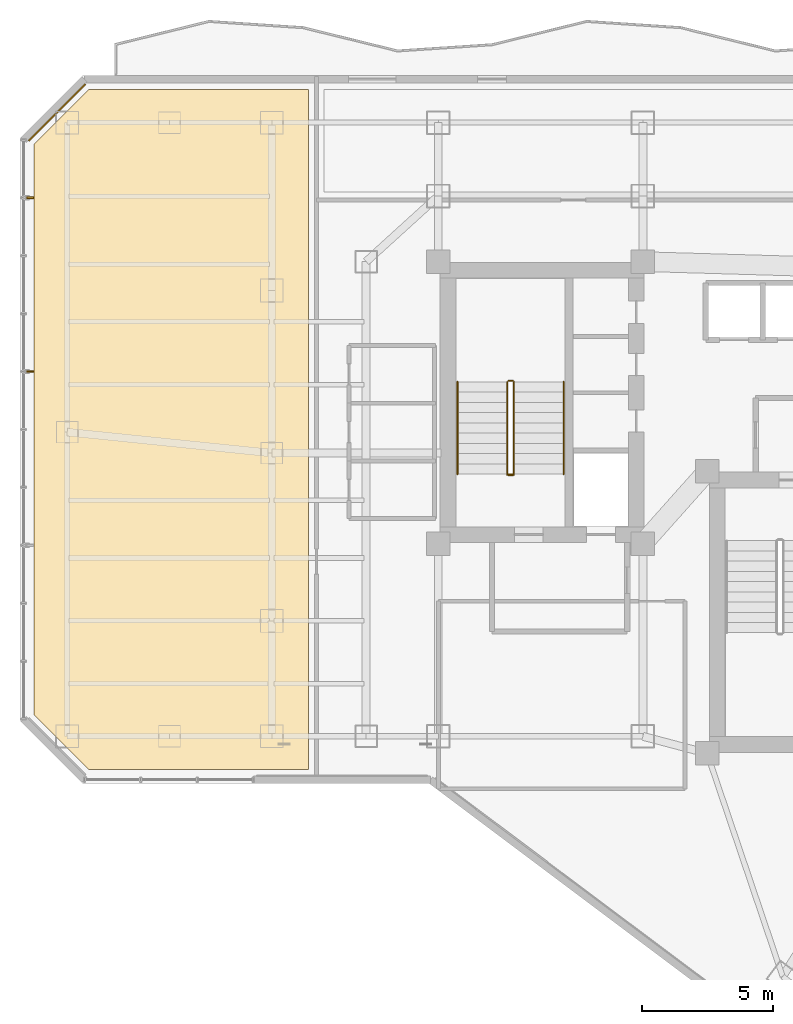
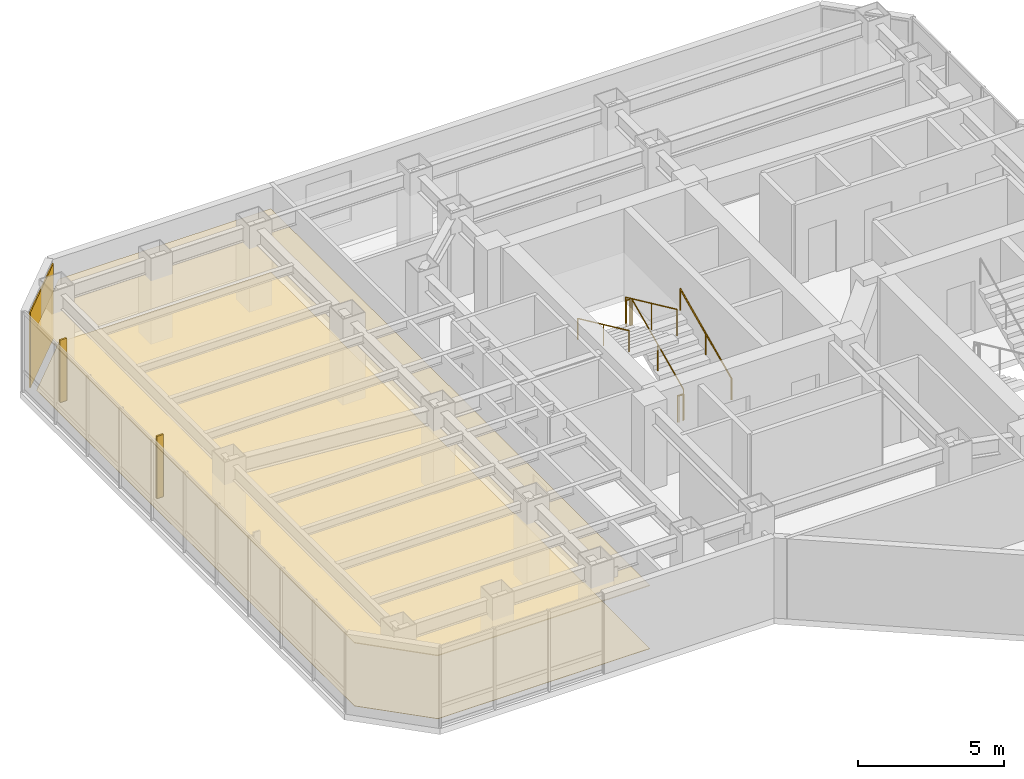
# One storey, part 28 of 29: 7 railings, 3 coverings, 2 shading devices.
"""IFC4 building model written with IfcOpenShell, lengths in metres."""

from ifc_helpers import new_model, si_unit, direction, frame, origin, origin_2d, place, context, subcontext, project, spatial, polyline, rectangle, circle, outline, extrude, material, layer, layer_set, type_object, element, save


model = new_model("IFC4")

# Units and contexts
model_context = context("Model", 3, precision=1e-05, world=origin(), true_north=direction((0.0, 1.0)))
body_context = subcontext(model_context, "Body", "Model", "MODEL_VIEW")
ifc_project = project(units=[si_unit("LENGTHUNIT", "METRE"), si_unit("AREAUNIT", "SQUARE_METRE"), si_unit("VOLUMEUNIT", "CUBIC_METRE"), si_unit("PLANEANGLEUNIT", "RADIAN"), si_unit("MASSUNIT", "GRAM", prefix="KILO")], contexts=[model_context])

# Site, building, storey
site_placement = place(None, origin())
site = spatial("IfcSite", under=ifc_project, at=site_placement, CompositionType="ELEMENT")
building_placement = place(site_placement, origin())
building = spatial("IfcBuilding", under=site, at=building_placement, Name="Hatsunagi Terrace Concourse", CompositionType="ELEMENT")
storey_placement = place(building_placement, frame((0.0, 0.0, 115.64990234375)))
storey = spatial("IfcBuildingStorey", under=building, at=storey_placement, Name="L30", CompositionType="ELEMENT", Elevation=115.64990234375)

# Covering
ifc_material_1 = material(Name="Hardwood timber", Category="wood")
ifc_layer_1 = layer(ifc_material_1, 0.014892578125)
ifc_layer_set_1 = layer_set([ifc_layer_1], Name="HardwoodTimberFlooring_15")
covering_type_1 = type_object("IfcCoveringType", Name="HardwoodTimberFlooring_15", PredefinedType="FLOORING", material=ifc_layer_set_1)
covering_1_placement = place(storey_placement, origin())
element("IfcCovering", 1, at=covering_1_placement, inside=storey, type_object=covering_type_1, Name="Finished Flooring L30-1", PredefinedType="FLOORING", context=body_context, shape_type="SweptSolid", body=[
    extrude(outline(polyline([(10.1298828125, 26.02001953125), (12.219970703125, 23.929931640625), (20.60009765625, 23.929931640625), (20.60009765625, 49.8701171875), (12.219970703125, 49.8701171875), (10.1298828125, 47.780029296875), (10.1298828125, 26.02001953125)])), origin(), (0.0, 0.0, 1.0), 0.01513671875),
])

# Railings
ifc_material_2 = material(Name="Stainless steel", Category="steel")
ifc_layer_2 = layer(ifc_material_2, 0.044921875)
ifc_layer_set_2 = layer_set([ifc_layer_2], Name="StairPitchHandrail_Tower2000")
railing_type_1 = type_object("IfcRailingType", Name="StairPitchHandrail_Tower2000", PredefinedType="HANDRAIL", material=ifc_layer_set_2)
railing_1_placement = place(storey_placement, frame((30.330078125, 35.199951171875, 0.18017578125)))
element("IfcRailing", 2, at=railing_1_placement, inside=storey, type_object=railing_type_1, Name="L30 ST-A stair handrail 1", PredefinedType="HANDRAIL", context=body_context, shape_type="SweptSolid", body=[
    extrude(circle(Radius=0.02392578125, at=origin_2d()), frame((0.0, 0.0, 0.8759765625), z_axis=(0.0, 0.907972323039, 0.419030142823), x_axis=(-1.0, 0.0, 0.0)), (0.0, 0.0, 1.0), 3.86572265625),
    extrude(circle(Radius=0.02099609375, at=origin_2d()), origin(), (0.0, 0.0, 1.0), 0.851806640625),
    extrude(circle(Radius=0.02099609375, at=origin_2d()), frame((0.0, 1.7548828125, 0.81005859375)), (0.0, 0.0, 1.0), 0.851806640625),
    extrude(circle(Radius=0.02099609375, at=origin_2d()), frame((0.0, 3.510009765625, 1.619873046875)), (0.0, 0.0, 1.0), 0.851806640625),
])
railing_2_placement = place(storey_placement, frame((26.280029296875, 38.7099609375, 1.97998046875)))
element("IfcRailing", 3, at=railing_2_placement, inside=storey, type_object=railing_type_1, Name="L30 ST-A stair handrail 2", PredefinedType="HANDRAIL", context=body_context, shape_type="SweptSolid", body=[
    extrude(circle(Radius=0.02392578125, at=origin_2d()), frame((0.0, 0.0, 0.8759765625), z_axis=(0.0, -0.907948293929, 0.419082206198), x_axis=(1.0, 0.0, 0.0)), (0.0, 0.0, 1.0), 3.865966796875),
    extrude(circle(Radius=0.02099609375, at=origin_2d()), origin(), (0.0, 0.0, 1.0), 0.851806640625),
    extrude(circle(Radius=0.02099609375, at=origin_2d()), frame((0.0, -1.7548828125, 0.81005859375)), (0.0, 0.0, 1.0), 0.851806640625),
    extrude(circle(Radius=0.02099609375, at=origin_2d()), frame((0.0, -3.510009765625, 1.6201171875)), (0.0, 0.0, 1.0), 0.851806640625),
])
ifc_material_3 = material(Name="Stainless steel", Category="steel")
ifc_layer_3 = layer(ifc_material_3, 0.06005859375)
ifc_layer_set_3 = layer_set([ifc_layer_3], Name="StairWellGuard_Tower2000")
railing_type_2 = type_object("IfcRailingType", Name="StairWellGuard_Tower2000", PredefinedType="BALUSTRADE", material=ifc_layer_set_3)
railing_3_placement = place(storey_placement, frame((28.429931640625, 35.199951171875, 0.18017578125)))
element("IfcRailing", 4, at=railing_3_placement, inside=storey, type_object=railing_type_2, Name="L30 ST-A stair guard 1", PredefinedType="BALUSTRADE", context=body_context, shape_type="SweptSolid", body=[
    extrude(circle(Radius=0.02392578125, at=origin_2d()), frame((0.0, 0.0, 1.09619140625), z_axis=(0.0, 0.907972323039, 0.419030142823), x_axis=(-1.0, 0.0, 0.0)), (0.0, 0.0, 1.0), 3.86572265625),
    extrude(circle(Radius=0.02099609375, at=origin_2d()), origin(), (0.0, 0.0, 1.0), 1.072021484375),
    extrude(circle(Radius=0.02099609375, at=origin_2d()), frame((0.0, 1.7548828125, 0.81005859375)), (0.0, 0.0, 1.0), 1.072021484375),
    extrude(circle(Radius=0.02099609375, at=origin_2d()), frame((0.0, 3.510009765625, 1.619873046875)), (0.0, 0.0, 1.0), 1.072021484375),
])
railing_4_placement = place(storey_placement, frame((28.3798828125, 38.760009765625, 1.800048828125)))
element("IfcRailing", 5, at=railing_4_placement, inside=storey, type_object=railing_type_2, Name="L30 ST-A stair guard 2", PredefinedType="BALUSTRADE", context=body_context, shape_type="SweptSolid", body=[
    extrude(circle(Radius=0.02392578125, at=origin_2d()), frame((0.0, 0.0, 1.09619140625), z_axis=(-1.0, 0.0, 0.0), x_axis=(0.0, -1.0, 0.0)), (0.0, 0.0, 1.0), 0.14990234375),
    extrude(circle(Radius=0.02099609375, at=origin_2d()), origin(), (0.0, 0.0, 1.0), 1.072021484375),
    extrude(circle(Radius=0.02099609375, at=origin_2d()), frame((-0.14990234375, 0.0, 0.0)), (0.0, 0.0, 1.0), 1.072021484375),
])
railing_5_placement = place(storey_placement, frame((28.179931640625, 38.7099609375, 1.97998046875)))
element("IfcRailing", 6, at=railing_5_placement, inside=storey, type_object=railing_type_2, Name="L30 ST-A stair guard 3", PredefinedType="BALUSTRADE", context=body_context, shape_type="SweptSolid", body=[
    extrude(circle(Radius=0.02392578125, at=origin_2d()), frame((0.0, 0.0, 1.09619140625), z_axis=(0.0, -0.907948293929, 0.419082206198), x_axis=(1.0, 0.0, 0.0)), (0.0, 0.0, 1.0), 3.865966796875),
    extrude(circle(Radius=0.02099609375, at=origin_2d()), origin(), (0.0, 0.0, 1.0), 1.072021484375),
    extrude(circle(Radius=0.02099609375, at=origin_2d()), frame((0.0, -1.7548828125, 0.81005859375)), (0.0, 0.0, 1.0), 1.072021484375),
    extrude(circle(Radius=0.02099609375, at=origin_2d()), frame((0.0, -3.510009765625, 1.6201171875)), (0.0, 0.0, 1.0), 1.072021484375),
])
railing_6_placement = place(storey_placement, frame((28.3798828125, 35.14990234375, 0.0)))
element("IfcRailing", 7, at=railing_6_placement, inside=storey, type_object=railing_type_2, Name="L30 ST-A stair guard 4", PredefinedType="BALUSTRADE", context=body_context, shape_type="SweptSolid", body=[
    extrude(circle(Radius=0.02392578125, at=origin_2d()), frame((0.0, 0.0, 1.09619140625), z_axis=(-1.0, 0.0, 0.0), x_axis=(0.0, -1.0, 0.0)), (0.0, 0.0, 1.0), 0.14990234375),
    extrude(circle(Radius=0.02099609375, at=origin_2d()), origin(), (0.0, 0.0, 1.0), 1.072021484375),
    extrude(circle(Radius=0.02099609375, at=origin_2d()), frame((-0.14990234375, 0.0, 0.0)), (0.0, 0.0, 1.0), 1.072021484375),
])
ifc_material_4 = material(Name="Stainless Steel SUS316 Post-and-Rail Guard", Category="steel")
ifc_layer_4 = layer(ifc_material_4, 0.080078125)
ifc_layer_set_4 = layer_set([ifc_layer_4], Name="TerracePlantedGuardRail_1200")
railing_type_3 = type_object("IfcRailingType", Name="TerracePlantedGuardRail_1200", PredefinedType="GUARDRAIL", material=ifc_layer_set_4)
railing_7_placement = place(storey_placement, frame((28.179931640625, 35.179931640625, 0.0)))
element("IfcRailing", 8, at=railing_7_placement, inside=storey, type_object=railing_type_3, Name="Stair ST-A Well Closure Guard L30", PredefinedType="GUARDRAIL", context=body_context, shape_type="SweptSolid", body=[
    extrude(circle(Radius=0.02392578125, at=origin_2d()), frame((0.0, 0.0, 1.09619140625), z_axis=(1.0, 0.0, 0.0), x_axis=(0.0, 1.0, 0.0)), (0.0, 0.0, 1.0), 0.25),
    extrude(circle(Radius=0.02099609375, at=origin_2d()), origin(), (0.0, 0.0, 1.0), 1.072021484375),
    extrude(circle(Radius=0.02099609375, at=origin_2d()), frame((0.25, 0.0, 0.0)), (0.0, 0.0, 1.0), 1.072021484375),
])

# Shading devices
ifc_material_5 = material(Name="Extruded Unglazed Terracotta Baguette", Category="masonry")
shading_device_type = type_object("IfcShadingDeviceType", Name="TerracottaFinScreen_260x70", PredefinedType="USERDEFINED", material=ifc_material_5)
for number, where, z_axis, x_axis, name in (
    (9, (9.989990234375, 39.10791015625, 0.85009765625), (0.0, 0.0, 1.0), (0.0, 1.0, 0.0), "Terracotta Baguette Fin Screen SCR-01"),
    (10, (9.989990234375, 45.73388671875, 0.85009765625), (0.0, 0.0, 1.0), (0.0, 1.0, 0.0), "Terracotta Baguette Fin Screen SCR-01"),
):
    element("IfcShadingDevice", number, at=place(storey_placement, frame(where, z_axis=z_axis, x_axis=x_axis)), inside=storey, type_object=shading_device_type, Name=name, ObjectType="SUNSHADE", PredefinedType="USERDEFINED", context=body_context, shape_type="SweptSolid", body=[
        extrude(rectangle(XDim=0.070068359375, YDim=0.260009765625, at=origin_2d()), origin(), (0.0, 0.0, 1.0), 2.60009765625),
    ])

# Coverings
ifc_material_6 = material(Name="Unglazed Warm Terracotta Rainscreen Tile", Category="masonry")
ifc_layer_5 = layer(ifc_material_6, 0.044921875)
ifc_layer_set_5 = layer_set([ifc_layer_5], Name="TerracottaRainscreenCladding_45")
covering_type_2 = type_object("IfcCoveringType", Name="TerracottaRainscreenCladding_45", PredefinedType="CLADDING", material=ifc_layer_set_5)
covering_2_placement = place(storey_placement, frame((11.013916015625, 48.986083984375, 0.10009765625), z_axis=(0.0, 0.0, 1.0), x_axis=(0.707106781187, 0.707106781187, 0.0)))
element("IfcCovering", 11, at=covering_2_placement, inside=storey, type_object=covering_type_2, Name="Terracotta Rainscreen Cladding L30-10", PredefinedType="CLADDING", context=body_context, shape_type="SweptSolid", body=[
    extrude(rectangle(XDim=3.0380859375, YDim=0.044921875, at=origin_2d()), origin(), (0.0, 0.0, 1.0), 3.14990234375),
])
ifc_material_7 = material(Name="Hardwood timber", Category="wood")
ifc_layer_6 = layer(ifc_material_7, 0.034912109375)
ifc_layer_set_6 = layer_set([ifc_layer_6], Name="TimberBaffleCeiling_35")
covering_type_3 = type_object("IfcCoveringType", Name="TimberBaffleCeiling_35", PredefinedType="CEILING", material=ifc_layer_set_6)
covering_3_placement = place(storey_placement, frame((0.0, 0.0, 2.630126953125)))
element("IfcCovering", 12, at=covering_3_placement, inside=storey, type_object=covering_type_3, Name="Suspended Ceiling L30-1", PredefinedType="CEILING", context=body_context, shape_type="SweptSolid", body=[
    extrude(outline(polyline([(10.1298828125, 26.02001953125), (12.219970703125, 23.929931640625), (20.60009765625, 23.929931640625), (20.60009765625, 49.8701171875), (12.219970703125, 49.8701171875), (10.1298828125, 47.780029296875), (10.1298828125, 26.02001953125)])), origin(), (0.0, 0.0, 1.0), 0.034912109375),
])

save(model, "model.ifc")
